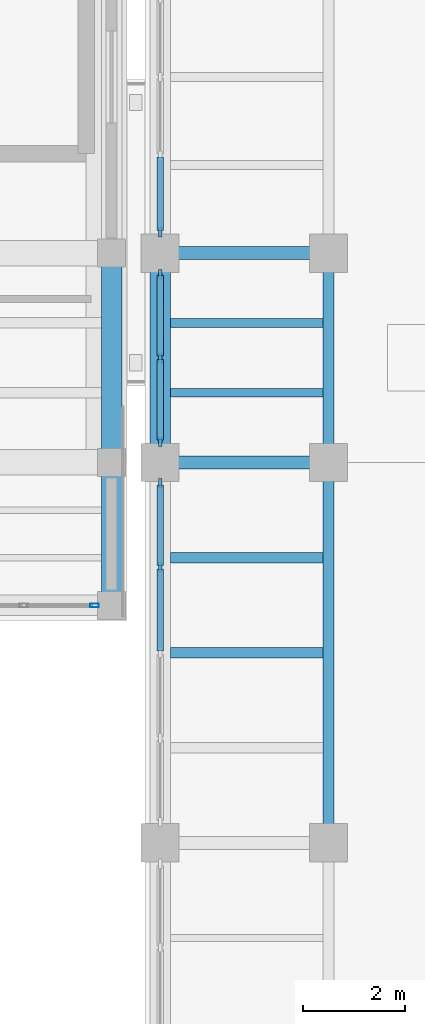
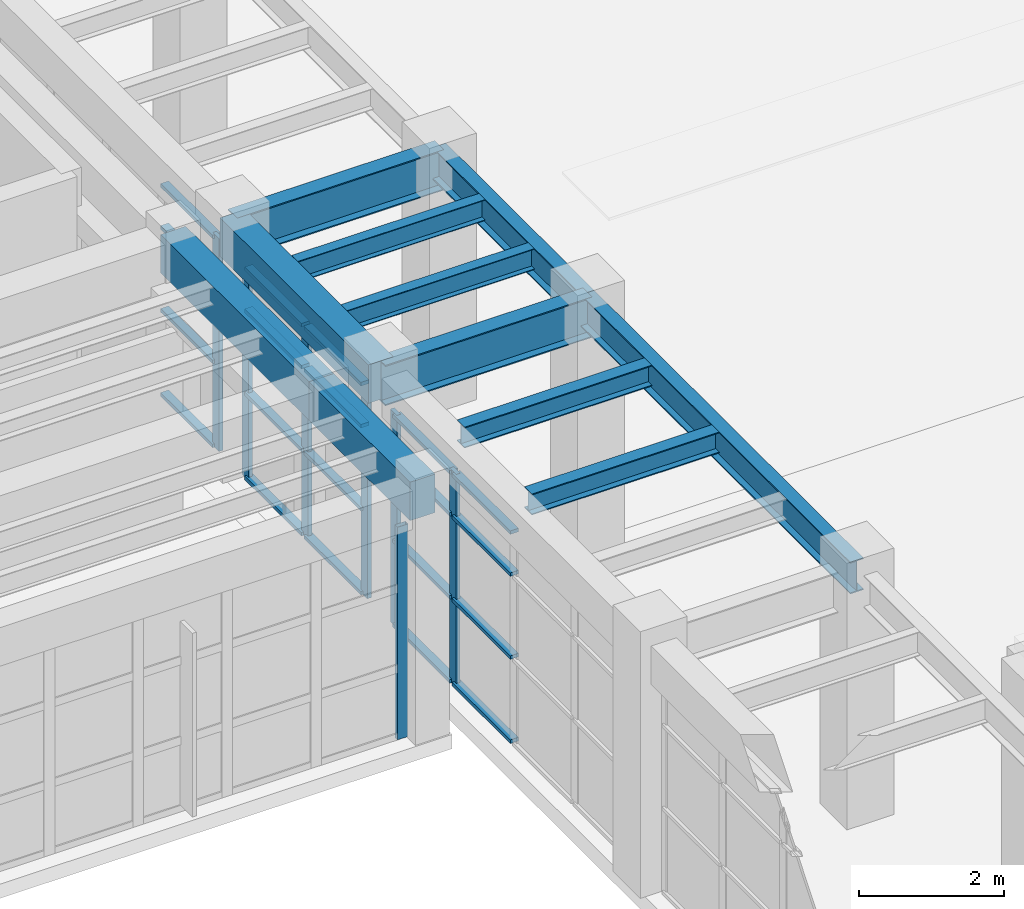
# One storey, part 36 of 85: 27 members, 11 beams, 4 elements without a shape of their own.
"""IFC4 building model written with IfcOpenShell, lengths in metres."""

from ifc_helpers import new_model, si_unit, direction, frame, origin, origin_2d, place, context, subcontext, project, spatial, rectangle, hollow_rectangle, i_section, extrude, material, layer, layer_set, material_profile, profile_set, type_object, element, aggregate, save


model = new_model("IFC4")

# Units and contexts
model_context = context("Model", 3, precision=1e-05, world=origin(), true_north=direction((0.0, 1.0)))
body_context = subcontext(model_context, "Body", "Model", "MODEL_VIEW")
ifc_project = project(units=[si_unit("LENGTHUNIT", "METRE"), si_unit("AREAUNIT", "SQUARE_METRE"), si_unit("VOLUMEUNIT", "CUBIC_METRE"), si_unit("PLANEANGLEUNIT", "RADIAN"), si_unit("MASSUNIT", "GRAM", prefix="KILO")], contexts=[model_context])

# Site, building, storey
site_placement = place(None, origin())
site = spatial("IfcSite", under=ifc_project, at=site_placement, CompositionType="ELEMENT")
building_placement = place(site_placement, origin())
building = spatial("IfcBuilding", under=site, at=building_placement, Name="Candilejo Ridge Gondola Terminal", CompositionType="ELEMENT")
storey_placement = place(building_placement, frame((0.0, 0.0, 4.5)))
storey = spatial("IfcBuildingStorey", under=building, at=storey_placement, Name="L01", CompositionType="ELEMENT", Elevation=4.5)

# Curtain wall, member
ifc_material_1 = material(Name="Anodised aluminium AA 6063-T6", Category="aluminium")
ifc_layer_1 = layer(ifc_material_1, 0.169921875)
ifc_layer_set_1 = layer_set([ifc_layer_1], Name="ARC-CW-CONCOURSE-3600-710X359")
curtain_wall_type_1 = type_object("IfcCurtainWallType", Name="ARC-CW-CONCOURSE-3600-710X359", PredefinedType="NOTDEFINED", material=ifc_layer_set_1)
curtain_wall_1_placement = place(storey_placement, origin())
curtain_wall_1 = element("IfcCurtainWall", 1, at=curtain_wall_1_placement, inside=storey, type_object=curtain_wall_type_1, Name="Curtain wall V3 L01-081", PredefinedType="NOTDEFINED")
ifc_material_2 = material(Name="Anodised aluminium AA 6063-T6", Category="aluminium")
ifc_material_profile_1 = material_profile(ifc_material_2, hollow_rectangle(XDim=0.074951171875, YDim=0.169921875, WallThickness=0.00390625, at=origin_2d()))
ifc_profile_set_1 = profile_set([ifc_material_profile_1], Name="Anodised aluminium AA 6063-T6")
member_type_1 = type_object("IfcMemberType", Name="ARC-CW-MULLION", PredefinedType="MULLION", material=ifc_profile_set_1)
member_1_placement = place(storey_placement, frame((132.612548828125, 22.89990234375, 0.0), z_axis=(0.0, 0.0, 1.0), x_axis=(0.0, 1.0, 0.0)))
member_1 = element("IfcMember", 2, at=member_1_placement, type_object=member_type_1, Name="CW-71X35 mullion 6", PredefinedType="MULLION", context=body_context, shape_type="SweptSolid", body=[
    extrude(hollow_rectangle(XDim=0.074951171875, YDim=0.169921875, WallThickness=0.00390625, at=origin_2d()), origin(), (0.0, 0.0, 1.0), 3.590087890625),
])
aggregate(curtain_wall_1, [member_1])

# Curtain wall, members
ifc_material_3 = material(Name="Anodised aluminium AA 6063-T6", Category="aluminium")
ifc_layer_2 = layer(ifc_material_3, 0.169921875)
ifc_layer_set_2 = layer_set([ifc_layer_2], Name="ARC-CW-HALL-3800-670X359")
curtain_wall_type_2 = type_object("IfcCurtainWallType", Name="ARC-CW-HALL-3800-670X359", PredefinedType="NOTDEFINED", material=ifc_layer_set_2)
curtain_wall_2_placement = place(storey_placement, origin())
curtain_wall_2 = element("IfcCurtainWall", 3, at=curtain_wall_2_placement, inside=storey, type_object=curtain_wall_type_2, Name="Curtain wall V4 L01-113", PredefinedType="NOTDEFINED")
ifc_material_4 = material(Name="Anodised aluminium AA 6063-T6", Category="aluminium")
ifc_material_profile_2 = material_profile(ifc_material_4, rectangle(XDim=0.06494140625, YDim=0.179931640625, at=origin_2d()))
ifc_profile_set_2 = profile_set([ifc_material_profile_2], Name="Anodised aluminium AA 6063-T6")
member_type_2 = type_object("IfcMemberType", Name="ARC-CW-MULLION-180", PredefinedType="MULLION", material=ifc_profile_set_2)
member_2_placement = place(storey_placement, frame((133.89990234375, 23.64990234375, 0.0), z_axis=(0.0, 0.0, 1.0), x_axis=(-1.0, 0.0, 0.0)))
member_2 = element("IfcMember", 4, at=member_2_placement, type_object=member_type_2, Name="CW-67X35 mullion 4", PredefinedType="MULLION", context=body_context, shape_type="SweptSolid", body=[
    extrude(rectangle(XDim=0.06494140625, YDim=0.179931640625, at=origin_2d()), origin(), (0.0, 0.0, 1.0), 3.590087890625),
])
member_3_placement = place(storey_placement, frame((133.89990234375, 25.29248046875, 0.0), z_axis=(0.0, 0.0, 1.0), x_axis=(-1.0, 0.0, 0.0)))
member_3 = element("IfcMember", 5, at=member_3_placement, type_object=member_type_2, Name="CW-67X35 mullion 5", PredefinedType="MULLION", context=body_context, shape_type="SweptSolid", body=[
    extrude(rectangle(XDim=0.06494140625, YDim=0.179931640625, at=origin_2d()), origin(), (0.0, 0.0, 1.0), 3.590087890625),
])

ifc_material_5 = material(Name="Anodised aluminium AA 6063-T6", Category="aluminium")
ifc_layer_3 = layer(ifc_material_5, 0.169921875)
ifc_layer_set_3 = layer_set([ifc_layer_3], Name="ARC-CW-HALL-3800-335X359")
curtain_wall_type_3 = type_object("IfcCurtainWallType", Name="ARC-CW-HALL-3800-335X359", PredefinedType="NOTDEFINED", material=ifc_layer_set_3)
curtain_wall_3_placement = place(storey_placement, origin())
curtain_wall_3 = element("IfcCurtainWall", 6, at=curtain_wall_3_placement, inside=storey, type_object=curtain_wall_type_3, Name="Curtain wall V4 L01-115", PredefinedType="NOTDEFINED")
member_4_placement = place(storey_placement, frame((133.89990234375, 26.107421875, 0.0), z_axis=(0.0, 0.0, 1.0), x_axis=(-1.0, 0.0, 0.0)))
member_4 = element("IfcMember", 7, at=member_4_placement, type_object=member_type_2, Name="CW-33X35 mullion 1", PredefinedType="MULLION", context=body_context, shape_type="SweptSolid", body=[
    extrude(rectangle(XDim=0.06494140625, YDim=0.179931640625, at=origin_2d()), origin(), (0.0, 0.0, 1.0), 3.590087890625),
])
member_5_placement = place(storey_placement, frame((133.89990234375, 27.75, 0.0), z_axis=(0.0, 0.0, 1.0), x_axis=(-1.0, 0.0, 0.0)))
member_5 = element("IfcMember", 8, at=member_5_placement, type_object=member_type_2, Name="CW-33X35 mullion 2", PredefinedType="MULLION", context=body_context, shape_type="SweptSolid", body=[
    extrude(rectangle(XDim=0.06494140625, YDim=0.179931640625, at=origin_2d()), origin(), (0.0, 0.0, 1.0), 3.590087890625),
])
member_6_placement = place(storey_placement, frame((133.89990234375, 29.392578125, 0.0), z_axis=(0.0, 0.0, 1.0), x_axis=(-1.0, 0.0, 0.0)))
member_6 = element("IfcMember", 9, at=member_6_placement, type_object=member_type_2, Name="CW-33X35 mullion 3", PredefinedType="MULLION", context=body_context, shape_type="SweptSolid", body=[
    extrude(rectangle(XDim=0.06494140625, YDim=0.179931640625, at=origin_2d()), origin(), (0.0, 0.0, 1.0), 3.590087890625),
])

# Curtain wall, member
ifc_material_6 = material(Name="Anodised aluminium AA 6063-T6", Category="aluminium")
ifc_layer_4 = layer(ifc_material_6, 0.169921875)
ifc_layer_set_4 = layer_set([ifc_layer_4], Name="ARC-CW-HALL-3800-615X359")
curtain_wall_type_4 = type_object("IfcCurtainWallType", Name="ARC-CW-HALL-3800-615X359", PredefinedType="NOTDEFINED", material=ifc_layer_set_4)
curtain_wall_4_placement = place(storey_placement, origin())
curtain_wall_4 = element("IfcCurtainWall", 10, at=curtain_wall_4_placement, inside=storey, type_object=curtain_wall_type_4, Name="Curtain wall V4 L01-117", PredefinedType="NOTDEFINED")
member_7_placement = place(storey_placement, frame((133.89990234375, 30.20751953125, 0.0), z_axis=(0.0, 0.0, 1.0), x_axis=(-1.0, 0.0, 0.0)))
member_7 = element("IfcMember", 11, at=member_7_placement, type_object=member_type_2, Name="CW-61X35 mullion 1", PredefinedType="MULLION", context=body_context, shape_type="SweptSolid", body=[
    extrude(rectangle(XDim=0.06494140625, YDim=0.179931640625, at=origin_2d()), origin(), (0.0, 0.0, 1.0), 3.590087890625),
])

# Member
ifc_material_7 = material(Name="Anodised aluminium AA 6063-T6", Category="aluminium")
ifc_material_profile_3 = material_profile(ifc_material_7, rectangle(XDim=0.1298828125, YDim=0.06005859375, at=origin_2d()))
ifc_profile_set_3 = profile_set([ifc_material_profile_3], Name="Anodised aluminium AA 6063-T6")
member_type_3 = type_object("IfcMemberType", Name="ARC-CW-TRANSOM-130", PredefinedType="USERDEFINED", material=ifc_profile_set_3)
member_8_placement = place(storey_placement, frame((133.89990234375, 22.007568359375, 0.030029296875), z_axis=(0.0, 1.0, 0.0), x_axis=(-1.0, 0.0, 0.0)))
member_8 = element("IfcMember", 12, at=member_8_placement, type_object=member_type_3, Name="CW-67X35 transom 3.1", ObjectType="TRANSOM", PredefinedType="USERDEFINED", context=body_context, shape_type="SweptSolid", body=[
    extrude(rectangle(XDim=0.1298828125, YDim=0.06005859375, at=origin_2d()), origin(), (0.0, 0.0, 1.0), 1.60986328125),
])

member_9_placement = place(storey_placement, frame((133.89990234375, 22.007568359375, 1.449951171875), z_axis=(0.0, 1.0, 0.0), x_axis=(-1.0, 0.0, 0.0)))
member_9 = element("IfcMember", 13, at=member_9_placement, type_object=member_type_3, Name="CW-67X35 transom 3.2", ObjectType="TRANSOM", PredefinedType="USERDEFINED", context=body_context, shape_type="SweptSolid", body=[
    extrude(rectangle(XDim=0.1298828125, YDim=0.06005859375, at=origin_2d()), origin(), (0.0, 0.0, 1.0), 1.60986328125),
])

member_10_placement = place(storey_placement, frame((133.89990234375, 22.007568359375, 2.85009765625), z_axis=(0.0, 1.0, 0.0), x_axis=(-1.0, 0.0, 0.0)))
member_10 = element("IfcMember", 14, at=member_10_placement, type_object=member_type_3, Name="CW-67X35 transom 3.3", ObjectType="TRANSOM", PredefinedType="USERDEFINED", context=body_context, shape_type="SweptSolid", body=[
    extrude(rectangle(XDim=0.1298828125, YDim=0.06005859375, at=origin_2d()), origin(), (0.0, 0.0, 1.0), 1.60986328125),
])

member_11_placement = place(storey_placement, frame((133.89990234375, 22.007568359375, 3.56005859375), z_axis=(0.0, 1.0, 0.0), x_axis=(-1.0, 0.0, 0.0)))
member_11 = element("IfcMember", 15, at=member_11_placement, type_object=member_type_3, Name="CW-67X35 transom 3.4", ObjectType="TRANSOM", PredefinedType="USERDEFINED", context=body_context, shape_type="SweptSolid", body=[
    extrude(rectangle(XDim=0.1298828125, YDim=0.06005859375, at=origin_2d()), origin(), (0.0, 0.0, 1.0), 1.60986328125),
])

member_12_placement = place(storey_placement, frame((133.89990234375, 23.6826171875, 0.030029296875), z_axis=(0.0, 1.0, 0.0), x_axis=(-1.0, 0.0, 0.0)))
member_12 = element("IfcMember", 16, at=member_12_placement, type_object=member_type_3, Name="CW-67X35 transom 4.1", ObjectType="TRANSOM", PredefinedType="USERDEFINED", context=body_context, shape_type="SweptSolid", body=[
    extrude(rectangle(XDim=0.1298828125, YDim=0.06005859375, at=origin_2d()), origin(), (0.0, 0.0, 1.0), 1.577392578125),
])

member_13_placement = place(storey_placement, frame((133.89990234375, 23.6826171875, 1.449951171875), z_axis=(0.0, 1.0, 0.0), x_axis=(-1.0, 0.0, 0.0)))
member_13 = element("IfcMember", 17, at=member_13_placement, type_object=member_type_3, Name="CW-67X35 transom 4.2", ObjectType="TRANSOM", PredefinedType="USERDEFINED", context=body_context, shape_type="SweptSolid", body=[
    extrude(rectangle(XDim=0.1298828125, YDim=0.06005859375, at=origin_2d()), origin(), (0.0, 0.0, 1.0), 1.577392578125),
])

member_14_placement = place(storey_placement, frame((133.89990234375, 23.6826171875, 2.85009765625), z_axis=(0.0, 1.0, 0.0), x_axis=(-1.0, 0.0, 0.0)))
member_14 = element("IfcMember", 18, at=member_14_placement, type_object=member_type_3, Name="CW-67X35 transom 4.3", ObjectType="TRANSOM", PredefinedType="USERDEFINED", context=body_context, shape_type="SweptSolid", body=[
    extrude(rectangle(XDim=0.1298828125, YDim=0.06005859375, at=origin_2d()), origin(), (0.0, 0.0, 1.0), 1.577392578125),
])

member_15_placement = place(storey_placement, frame((133.89990234375, 23.6826171875, 3.56005859375), z_axis=(0.0, 1.0, 0.0), x_axis=(-1.0, 0.0, 0.0)))
member_15 = element("IfcMember", 19, at=member_15_placement, type_object=member_type_3, Name="CW-67X35 transom 4.4", ObjectType="TRANSOM", PredefinedType="USERDEFINED", context=body_context, shape_type="SweptSolid", body=[
    extrude(rectangle(XDim=0.1298828125, YDim=0.06005859375, at=origin_2d()), origin(), (0.0, 0.0, 1.0), 1.577392578125),
])

aggregate(curtain_wall_2, [member_2, member_3, member_8, member_9, member_10, member_11, member_12, member_13, member_14, member_15])

member_16_placement = place(storey_placement, frame((133.89990234375, 26.139892578125, 0.030029296875), z_axis=(0.0, 1.0, 0.0), x_axis=(-1.0, 0.0, 0.0)))
member_16 = element("IfcMember", 20, at=member_16_placement, type_object=member_type_3, Name="CW-33X35 transom 1.1", ObjectType="TRANSOM", PredefinedType="USERDEFINED", context=body_context, shape_type="SweptSolid", body=[
    extrude(rectangle(XDim=0.1298828125, YDim=0.06005859375, at=origin_2d()), origin(), (0.0, 0.0, 1.0), 1.57763671875),
])

member_17_placement = place(storey_placement, frame((133.89990234375, 26.139892578125, 1.449951171875), z_axis=(0.0, 1.0, 0.0), x_axis=(-1.0, 0.0, 0.0)))
member_17 = element("IfcMember", 21, at=member_17_placement, type_object=member_type_3, Name="CW-33X35 transom 1.2", ObjectType="TRANSOM", PredefinedType="USERDEFINED", context=body_context, shape_type="SweptSolid", body=[
    extrude(rectangle(XDim=0.1298828125, YDim=0.06005859375, at=origin_2d()), origin(), (0.0, 0.0, 1.0), 1.57763671875),
])

member_18_placement = place(storey_placement, frame((133.89990234375, 26.139892578125, 2.85009765625), z_axis=(0.0, 1.0, 0.0), x_axis=(-1.0, 0.0, 0.0)))
member_18 = element("IfcMember", 22, at=member_18_placement, type_object=member_type_3, Name="CW-33X35 transom 1.3", ObjectType="TRANSOM", PredefinedType="USERDEFINED", context=body_context, shape_type="SweptSolid", body=[
    extrude(rectangle(XDim=0.1298828125, YDim=0.06005859375, at=origin_2d()), origin(), (0.0, 0.0, 1.0), 1.57763671875),
])

member_19_placement = place(storey_placement, frame((133.89990234375, 26.139892578125, 3.56005859375), z_axis=(0.0, 1.0, 0.0), x_axis=(-1.0, 0.0, 0.0)))
member_19 = element("IfcMember", 23, at=member_19_placement, type_object=member_type_3, Name="CW-33X35 transom 1.4", ObjectType="TRANSOM", PredefinedType="USERDEFINED", context=body_context, shape_type="SweptSolid", body=[
    extrude(rectangle(XDim=0.1298828125, YDim=0.06005859375, at=origin_2d()), origin(), (0.0, 0.0, 1.0), 1.57763671875),
])

member_20_placement = place(storey_placement, frame((133.89990234375, 27.782470703125, 0.030029296875), z_axis=(0.0, 1.0, 0.0), x_axis=(-1.0, 0.0, 0.0)))
member_20 = element("IfcMember", 24, at=member_20_placement, type_object=member_type_3, Name="CW-33X35 transom 2.1", ObjectType="TRANSOM", PredefinedType="USERDEFINED", context=body_context, shape_type="SweptSolid", body=[
    extrude(rectangle(XDim=0.1298828125, YDim=0.06005859375, at=origin_2d()), origin(), (0.0, 0.0, 1.0), 1.57763671875),
])

member_21_placement = place(storey_placement, frame((133.89990234375, 27.782470703125, 1.449951171875), z_axis=(0.0, 1.0, 0.0), x_axis=(-1.0, 0.0, 0.0)))
member_21 = element("IfcMember", 25, at=member_21_placement, type_object=member_type_3, Name="CW-33X35 transom 2.2", ObjectType="TRANSOM", PredefinedType="USERDEFINED", context=body_context, shape_type="SweptSolid", body=[
    extrude(rectangle(XDim=0.1298828125, YDim=0.06005859375, at=origin_2d()), origin(), (0.0, 0.0, 1.0), 1.57763671875),
])

member_22_placement = place(storey_placement, frame((133.89990234375, 27.782470703125, 2.85009765625), z_axis=(0.0, 1.0, 0.0), x_axis=(-1.0, 0.0, 0.0)))
member_22 = element("IfcMember", 26, at=member_22_placement, type_object=member_type_3, Name="CW-33X35 transom 2.3", ObjectType="TRANSOM", PredefinedType="USERDEFINED", context=body_context, shape_type="SweptSolid", body=[
    extrude(rectangle(XDim=0.1298828125, YDim=0.06005859375, at=origin_2d()), origin(), (0.0, 0.0, 1.0), 1.57763671875),
])

member_23_placement = place(storey_placement, frame((133.89990234375, 27.782470703125, 3.56005859375), z_axis=(0.0, 1.0, 0.0), x_axis=(-1.0, 0.0, 0.0)))
member_23 = element("IfcMember", 27, at=member_23_placement, type_object=member_type_3, Name="CW-33X35 transom 2.4", ObjectType="TRANSOM", PredefinedType="USERDEFINED", context=body_context, shape_type="SweptSolid", body=[
    extrude(rectangle(XDim=0.1298828125, YDim=0.06005859375, at=origin_2d()), origin(), (0.0, 0.0, 1.0), 1.57763671875),
])

aggregate(curtain_wall_3, [member_4, member_5, member_6, member_16, member_17, member_18, member_19, member_20, member_21, member_22, member_23])

member_24_placement = place(storey_placement, frame((133.89990234375, 30.239990234375, 0.030029296875), z_axis=(0.0, 1.0, 0.0), x_axis=(-1.0, 0.0, 0.0)))
member_24 = element("IfcMember", 28, at=member_24_placement, type_object=member_type_3, Name="CW-61X35 transom 1.1", ObjectType="TRANSOM", PredefinedType="USERDEFINED", context=body_context, shape_type="SweptSolid", body=[
    extrude(rectangle(XDim=0.1298828125, YDim=0.06005859375, at=origin_2d()), origin(), (0.0, 0.0, 1.0), 1.43994140625),
])

member_25_placement = place(storey_placement, frame((133.89990234375, 30.239990234375, 1.449951171875), z_axis=(0.0, 1.0, 0.0), x_axis=(-1.0, 0.0, 0.0)))
member_25 = element("IfcMember", 29, at=member_25_placement, type_object=member_type_3, Name="CW-61X35 transom 1.2", ObjectType="TRANSOM", PredefinedType="USERDEFINED", context=body_context, shape_type="SweptSolid", body=[
    extrude(rectangle(XDim=0.1298828125, YDim=0.06005859375, at=origin_2d()), origin(), (0.0, 0.0, 1.0), 1.43994140625),
])

member_26_placement = place(storey_placement, frame((133.89990234375, 30.239990234375, 2.85009765625), z_axis=(0.0, 1.0, 0.0), x_axis=(-1.0, 0.0, 0.0)))
member_26 = element("IfcMember", 30, at=member_26_placement, type_object=member_type_3, Name="CW-61X35 transom 1.3", ObjectType="TRANSOM", PredefinedType="USERDEFINED", context=body_context, shape_type="SweptSolid", body=[
    extrude(rectangle(XDim=0.1298828125, YDim=0.06005859375, at=origin_2d()), origin(), (0.0, 0.0, 1.0), 1.43994140625),
])

member_27_placement = place(storey_placement, frame((133.89990234375, 30.239990234375, 3.56005859375), z_axis=(0.0, 1.0, 0.0), x_axis=(-1.0, 0.0, 0.0)))
member_27 = element("IfcMember", 31, at=member_27_placement, type_object=member_type_3, Name="CW-61X35 transom 1.4", ObjectType="TRANSOM", PredefinedType="USERDEFINED", context=body_context, shape_type="SweptSolid", body=[
    extrude(rectangle(XDim=0.1298828125, YDim=0.06005859375, at=origin_2d()), origin(), (0.0, 0.0, 1.0), 1.43994140625),
])

aggregate(curtain_wall_4, [member_7, member_24, member_25, member_26, member_27])

# Beams
ifc_material_8 = material(Name="Steel ASTM A992 Grade 50", Category="steel")
ifc_material_profile_4 = material_profile(ifc_material_8, i_section(OverallWidth=0.2109375, OverallDepth=0.5390625, WebThickness=0.01171875, FlangeThickness=0.018798828125, at=origin_2d()))
ifc_profile_set_4 = profile_set([ifc_material_profile_4], Name="Steel ASTM A992 Grade 50")
beam_type_1 = type_object("IfcBeamType", Name="STR-BM-W530X109", PredefinedType="BEAM", material=ifc_profile_set_4)
beam_1_placement = place(storey_placement, frame((137.199951171875, 18.25, 3.930419921875), z_axis=(0.0, 1.0, 0.0), x_axis=(-1.0, 0.0, 0.0)))
element("IfcBeam", 32, at=beam_1_placement, inside=storey, type_object=beam_type_1, Name="Beam Y V4 L01 Y03-Y05@X22", PredefinedType="BEAM", context=body_context, shape_type="SweptSolid", body=[
    extrude(i_section(OverallWidth=0.2109375, OverallDepth=0.5390625, WebThickness=0.01171875, FlangeThickness=0.018798828125, at=origin_2d()), origin(), (0.0, 0.0, 1.0), 7.449951171875),
])
beam_2_placement = place(storey_placement, frame((137.199951171875, 25.699951171875, 3.930419921875), z_axis=(0.0, 1.0, 0.0), x_axis=(-1.0, 0.0, 0.0)))
element("IfcBeam", 33, at=beam_2_placement, inside=storey, type_object=beam_type_1, Name="Beam Y V4 L01 Y05-Y06@X22", PredefinedType="BEAM", context=body_context, shape_type="SweptSolid", body=[
    extrude(i_section(OverallWidth=0.2109375, OverallDepth=0.5390625, WebThickness=0.01171875, FlangeThickness=0.018798828125, at=origin_2d()), origin(), (0.0, 0.0, 1.0), 4.10009765625),
])
ifc_material_9 = material(Name="Steel ASTM A992 Grade 50", Category="steel")
ifc_material_profile_5 = material_profile(ifc_material_9, i_section(OverallWidth=0.25390625, OverallDepth=0.68408203125, WebThickness=0.012451171875, FlangeThickness=0.018798828125, at=origin_2d()))
ifc_profile_set_5 = profile_set([ifc_material_profile_5], Name="Steel ASTM A992 Grade 50")
beam_type_2 = type_object("IfcBeamType", Name="STR-BM-W690X140", PredefinedType="BEAM", material=ifc_profile_set_5)
for number, where, z_axis, x_axis, name in (
    (34, (133.89990234375, 25.699951171875, 3.85791015625), (1.0, 0.0, 0.0), (0.0, 1.0, 0.0), "Beam X V4 L01 X21-X22@Y05"),
    (35, (133.89990234375, 29.800048828125, 3.85791015625), (1.0, 0.0, 0.0), (0.0, 1.0, 0.0), "Beam X V4 L01 X21-X22@Y06"),
):
    element("IfcBeam", number, at=place(storey_placement, frame(where, z_axis=z_axis, x_axis=x_axis)), inside=storey, type_object=beam_type_2, Name=name, PredefinedType="BEAM", context=body_context, shape_type="SweptSolid", body=[
        extrude(i_section(OverallWidth=0.25390625, OverallDepth=0.68408203125, WebThickness=0.012451171875, FlangeThickness=0.018798828125, at=origin_2d()), origin(), (0.0, 0.0, 1.0), 3.300048828125),
    ])
ifc_material_10 = material(Name="Steel ASTM A992 Grade 50", Category="steel")
ifc_material_profile_6 = material_profile(ifc_material_10, i_section(OverallWidth=0.1708984375, OverallDepth=0.35498046875, WebThickness=0.007080078125, FlangeThickness=0.01171875, at=origin_2d()))
ifc_profile_set_6 = profile_set([ifc_material_profile_6], Name="Steel ASTM A992 Grade 50")
beam_type_3 = type_object("IfcBeamType", Name="STR-JST-W360X51", PredefinedType="JOIST", material=ifc_profile_set_6)
for number, where, z_axis, x_axis, name in (
    (36, (134.10009765625, 27.066650390625, 4.0224609375), (1.0, 0.0, 0.0), (0.0, 1.0, 0.0), "Composite joist V4 L01-0895"),
    (37, (134.10009765625, 28.433349609375, 4.0224609375), (1.0, 0.0, 0.0), (0.0, 1.0, 0.0), "Composite joist V4 L01-0896"),
):
    element("IfcBeam", number, at=place(storey_placement, frame(where, z_axis=z_axis, x_axis=x_axis)), inside=storey, type_object=beam_type_3, Name=name, PredefinedType="JOIST", context=body_context, shape_type="SweptSolid", body=[
        extrude(i_section(OverallWidth=0.1708984375, OverallDepth=0.35498046875, WebThickness=0.007080078125, FlangeThickness=0.01171875, at=origin_2d()), origin(), (0.0, 0.0, 1.0), 2.994384765625),
    ])
ifc_material_11 = material(Name="Steel ASTM A992 Grade 50", Category="steel")
ifc_material_profile_7 = material_profile(ifc_material_11, i_section(OverallWidth=0.205078125, OverallDepth=0.35400390625, WebThickness=0.009521484375, FlangeThickness=0.016845703125, at=origin_2d()))
ifc_profile_set_7 = profile_set([ifc_material_profile_7], Name="Steel ASTM A992 Grade 50")
beam_type_4 = type_object("IfcBeamType", Name="STR-JST-W360X79", PredefinedType="JOIST", material=ifc_profile_set_7)
for number, where, z_axis, x_axis, name in (
    (38, (134.10009765625, 21.97509765625, 4.02294921875), (1.0, 0.0, 0.0), (0.0, 1.0, 0.0), "Composite joist V4 L01-0893"),
    (39, (134.10009765625, 23.83740234375, 4.02294921875), (1.0, 0.0, 0.0), (0.0, 1.0, 0.0), "Composite joist V4 L01-0894"),
):
    element("IfcBeam", number, at=place(storey_placement, frame(where, z_axis=z_axis, x_axis=x_axis)), inside=storey, type_object=beam_type_4, Name=name, PredefinedType="JOIST", context=body_context, shape_type="SweptSolid", body=[
        extrude(i_section(OverallWidth=0.205078125, OverallDepth=0.35400390625, WebThickness=0.009521484375, FlangeThickness=0.016845703125, at=origin_2d()), origin(), (0.0, 0.0, 1.0), 2.994384765625),
    ])
ifc_material_12 = material(Name="Concrete f'c 35 MPa (C35/45)", Category="concrete")
ifc_material_profile_8 = material_profile(ifc_material_12, rectangle(XDim=0.39990234375, YDim=0.64990234375, at=origin_2d()))
ifc_profile_set_8 = profile_set([ifc_material_profile_8], Name="Concrete f'c 35 MPa (C35/45)")
beam_type_5 = type_object("IfcBeamType", Name="STR-SPN-RC400X650", PredefinedType="SPANDREL", material=ifc_profile_set_8)
beam_3_placement = place(storey_placement, frame((132.949951171875, 22.89990234375, 3.925048828125), z_axis=(0.0, 1.0, 0.0), x_axis=(-1.0, 0.0, 0.0)))
element("IfcBeam", 40, at=beam_3_placement, inside=storey, type_object=beam_type_5, Name="Beam Y V3 L01 Y04-Y05@X20", PredefinedType="SPANDREL", context=body_context, shape_type="SweptSolid", body=[
    extrude(rectangle(XDim=0.39990234375, YDim=0.64990234375, at=origin_2d()), origin(), (0.0, 0.0, 1.0), 2.800048828125),
])
for number, where, z_axis, x_axis, name in (
    (41, (132.949951171875, 25.699951171875, 3.925048828125), (0.0, 1.0, 0.0), (-1.0, 0.0, 0.0), "Beam Y V3 L01 Y05-Y06@X20"),
    (42, (133.89990234375, 25.699951171875, 3.875), (0.0, 1.0, 0.0), (-1.0, 0.0, 0.0), "Beam Y V4 L01 Y05-Y06@X21"),
):
    element("IfcBeam", number, at=place(storey_placement, frame(where, z_axis=z_axis, x_axis=x_axis)), inside=storey, type_object=beam_type_5, Name=name, PredefinedType="SPANDREL", context=body_context, shape_type="SweptSolid", body=[
        extrude(rectangle(XDim=0.39990234375, YDim=0.64990234375, at=origin_2d()), origin(), (0.0, 0.0, 1.0), 4.10009765625),
    ])

save(model, "model.ifc")
